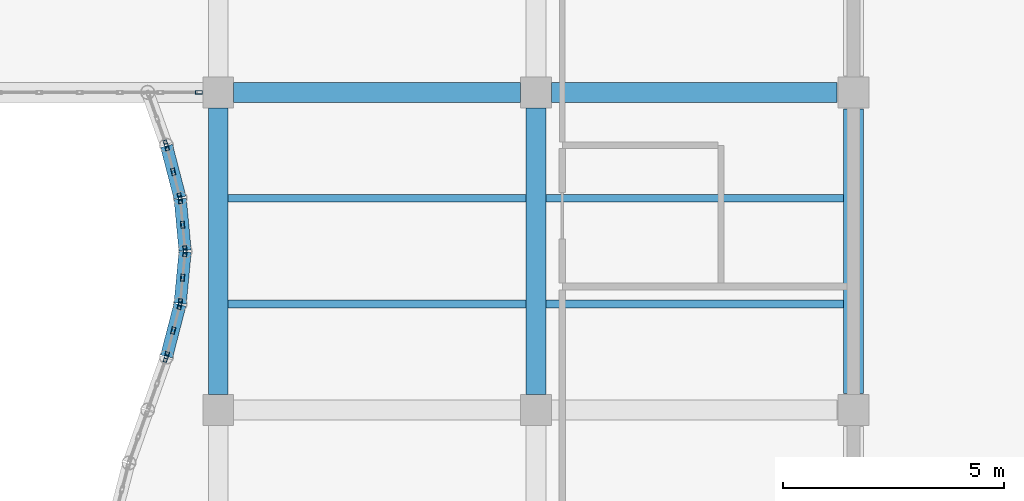
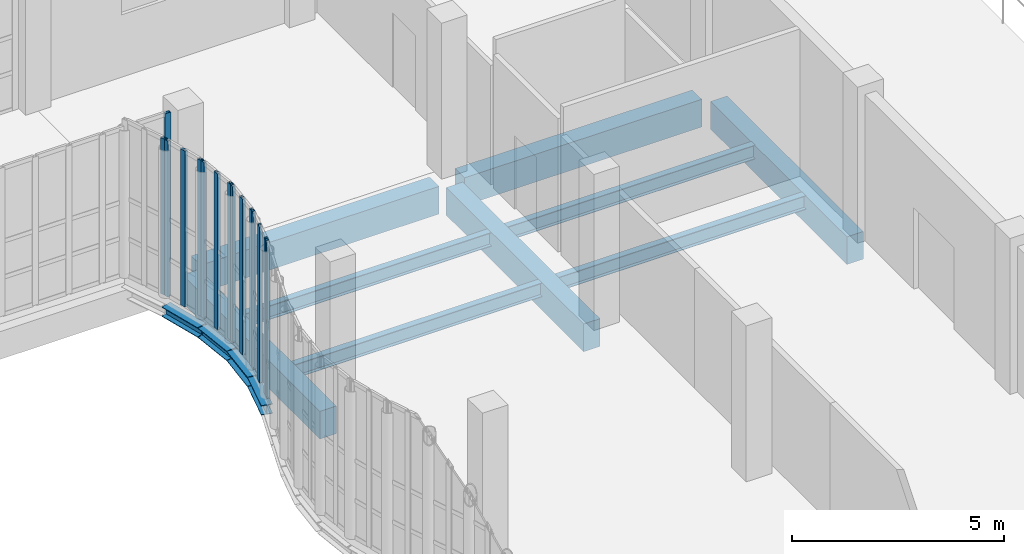
# One storey, part 43 of 108: 15 members, 13 beams, 7 elements without a shape of their own.
"""IFC4 building model written with IfcOpenShell, lengths in metres."""

from ifc_helpers import new_model, si_unit, direction, frame, origin, origin_2d, place, context, subcontext, project, spatial, rectangle, hollow_rectangle, i_section, extrude, material, layer, layer_set, material_profile, profile_set, type_object, element, aggregate, save


model = new_model("IFC4")

# Units and contexts
model_context = context("Model", 3, precision=1e-05, world=origin(), true_north=direction((0.0, 1.0)))
body_context = subcontext(model_context, "Body", "Model", "MODEL_VIEW")
ifc_project = project(units=[si_unit("LENGTHUNIT", "METRE"), si_unit("AREAUNIT", "SQUARE_METRE"), si_unit("VOLUMEUNIT", "CUBIC_METRE"), si_unit("PLANEANGLEUNIT", "RADIAN"), si_unit("MASSUNIT", "GRAM", prefix="KILO"), si_unit("THERMODYNAMICTEMPERATUREUNIT", "KELVIN"), si_unit("POWERUNIT", "WATT")], contexts=[model_context])

# Site, building, storey
site_placement = place(None, origin())
site = spatial("IfcSite", under=ifc_project, at=site_placement, CompositionType="ELEMENT")
building_placement = place(site_placement, origin())
building = spatial("IfcBuilding", under=site, at=building_placement, Name="Kaldorven Railside Theatre", CompositionType="ELEMENT")
storey_placement = place(building_placement, frame((0.0, 0.0, 5.39990234375)))
storey = spatial("IfcBuildingStorey", under=building, at=storey_placement, Name="L01", CompositionType="ELEMENT", Elevation=5.39990234375)

# Beams
ifc_material_1 = material(Name="Steel S355", Category="steel")
ifc_material_profile_1 = material_profile(ifc_material_1, i_section(OverallWidth=0.280029296875, OverallDepth=0.280029296875, WebThickness=0.010498046875, FlangeThickness=0.01806640625, at=origin_2d()), Name="HEB 280")
ifc_profile_set_1 = profile_set([ifc_material_profile_1], Name="Steel S355")
beam_type_1 = type_object("IfcBeamType", Name="BM-HEB280", PredefinedType="SPANDREL", material=ifc_profile_set_1)
beam_1_placement = place(storey_placement, frame((71.62890625, 63.614501953125, -0.419921875), z_axis=(0.250885106576, 0.968016871391, 0.0), x_axis=(-0.968016871391, 0.250885106576, 0.0)))
element("IfcBeam", 1, at=beam_1_placement, inside=storey, type_object=beam_type_1, Name="L01 Sinusoidal Flute Edge Spandrel FSB-236", PredefinedType="SPANDREL", context=body_context, shape_type="SweptSolid", body=[
    extrude(i_section(OverallWidth=0.280029296875, OverallDepth=0.280029296875, WebThickness=0.010498046875, FlangeThickness=0.01806640625, at=origin_2d()), origin(), (0.0, 0.0, 1.0), 1.20947265625),
])
for number, where, z_axis, x_axis, name in (
    (2, (71.9375, 64.81494140625, -0.419921875), (0.094505233873, 0.99552436473, 0.0), (-0.99552436473, 0.094505233873, 0.0), "L01 Sinusoidal Flute Edge Spandrel FSB-237"),
    (3, (72.048583984375, 66.014892578125, -0.419921875), (-0.094505233873, 0.99552436473, 0.0), (-0.99552436473, -0.094505233873, 0.0), "L01 Sinusoidal Flute Edge Spandrel FSB-238"),
):
    element("IfcBeam", number, at=place(storey_placement, frame(where, z_axis=z_axis, x_axis=x_axis)), inside=storey, type_object=beam_type_1, Name=name, PredefinedType="SPANDREL", context=body_context, shape_type="SweptSolid", body=[
        extrude(i_section(OverallWidth=0.280029296875, OverallDepth=0.280029296875, WebThickness=0.010498046875, FlangeThickness=0.01806640625, at=origin_2d()), origin(), (0.0, 0.0, 1.0), 1.175537109375),
    ])
beam_2_placement = place(storey_placement, frame((71.932373046875, 67.214599609375, -0.419921875), z_axis=(-0.250885106576, 0.968016871391, 0.0), x_axis=(-0.968016871391, -0.250885106576, 0.0)))
element("IfcBeam", 4, at=beam_2_placement, inside=storey, type_object=beam_type_1, Name="L01 Sinusoidal Flute Edge Spandrel FSB-239", PredefinedType="SPANDREL", context=body_context, shape_type="SweptSolid", body=[
    extrude(i_section(OverallWidth=0.280029296875, OverallDepth=0.280029296875, WebThickness=0.010498046875, FlangeThickness=0.01806640625, at=origin_2d()), origin(), (0.0, 0.0, 1.0), 1.20947265625),
])
ifc_material_profile_2 = material_profile(ifc_material_1, i_section(OverallWidth=0.179931640625, OverallDepth=0.39990234375, WebThickness=0.008544921875, FlangeThickness=0.013427734375, at=origin_2d()), Name="IPE 400")
ifc_profile_set_2 = profile_set([ifc_material_profile_2], Name="Steel S355")
beam_type_2 = type_object("IfcBeamType", Name="BM-IPE400", PredefinedType="JOIST", material=ifc_profile_set_2)
for number, where, z_axis, x_axis, name in (
    (5, (73.02490234375, 64.800048828125, -0.47998046875), (1.0, 0.0, 0.0), (0.0, 1.0, 0.0), "L01 Secondary Floor Joist JG-L01-072-0648"),
    (6, (73.02490234375, 67.199951171875, -0.47998046875), (1.0, 0.0, 0.0), (0.0, 1.0, 0.0), "L01 Secondary Floor Joist JG-L01-072-0672"),
    (7, (80.22509765625, 64.800048828125, -0.47998046875), (1.0, 0.0, 0.0), (0.0, 1.0, 0.0), "L01 Secondary Floor Joist JG-L01-080-0648"),
    (8, (80.22509765625, 67.199951171875, -0.47998046875), (1.0, 0.0, 0.0), (0.0, 1.0, 0.0), "L01 Secondary Floor Joist JG-L01-080-0672"),
):
    element("IfcBeam", number, at=place(storey_placement, frame(where, z_axis=z_axis, x_axis=x_axis)), inside=storey, type_object=beam_type_2, Name=name, PredefinedType="JOIST", context=body_context, shape_type="SweptSolid", body=[
        extrude(i_section(OverallWidth=0.179931640625, OverallDepth=0.39990234375, WebThickness=0.008544921875, FlangeThickness=0.013427734375, at=origin_2d()), origin(), (0.0, 0.0, 1.0), 6.75),
    ])
ifc_material_2 = material(Name="Concrete C40/50", Category="concrete")
ifc_material_profile_3 = material_profile(ifc_material_2, rectangle(XDim=0.449951171875, YDim=0.800048828125, at=origin_2d()), Name="RC 450x800")
ifc_profile_set_3 = profile_set([ifc_material_profile_3], Name="Concrete C40/50")
beam_type_3 = type_object("IfcBeamType", Name="BM-RC450x800", PredefinedType="BEAM", material=ifc_profile_set_3)
for number, where, z_axis, x_axis, name in (
    (9, (72.800048828125, 62.75, -0.679931640625), (0.0, 1.0, 0.0), (-1.0, 0.0, 0.0), "L01 Girder BGY-L01-072-062-72"),
    (10, (80.0, 62.75, -0.679931640625), (0.0, 1.0, 0.0), (-1.0, 0.0, 0.0), "L01 Girder BGY-L01-080-062-72"),
):
    element("IfcBeam", number, at=place(storey_placement, frame(where, z_axis=z_axis, x_axis=x_axis)), inside=storey, type_object=beam_type_3, Name=name, PredefinedType="BEAM", context=body_context, shape_type="SweptSolid", body=[
        extrude(rectangle(XDim=0.449951171875, YDim=0.800048828125, at=origin_2d()), origin(), (0.0, 0.0, 1.0), 6.5),
    ])
beam_3_placement = place(storey_placement, frame((87.199951171875, 62.77490234375, -0.699951171875), z_axis=(0.0, 1.0, 0.0), x_axis=(-1.0, 0.0, 0.0)))
element("IfcBeam", 11, at=beam_3_placement, inside=storey, type_object=beam_type_3, Name="L01 Girder BGY-L01-087-062-72", PredefinedType="BEAM", context=body_context, shape_type="SweptSolid", body=[
    extrude(rectangle(XDim=0.449951171875, YDim=0.800048828125, at=origin_2d()), origin(), (0.0, 0.0, 1.0), 6.4501953125),
])
beam_4_placement = place(storey_placement, frame((73.14990234375, 69.60009765625, -0.679931640625), z_axis=(1.0, 0.0, 0.0), x_axis=(0.0, 1.0, 0.0)))
element("IfcBeam", 12, at=beam_4_placement, inside=storey, type_object=beam_type_3, Name="L01 Girder BGX-L01-072-069", PredefinedType="BEAM", context=body_context, shape_type="SweptSolid", body=[
    extrude(rectangle(XDim=0.449951171875, YDim=0.800048828125, at=origin_2d()), origin(), (0.0, 0.0, 1.0), 6.5),
])
beam_5_placement = place(storey_placement, frame((80.35009765625, 69.60009765625, -0.679931640625), z_axis=(1.0, 0.0, 0.0), x_axis=(0.0, 1.0, 0.0)))
element("IfcBeam", 13, at=beam_5_placement, inside=storey, type_object=beam_type_3, Name="L01 Girder BGX-L01-080-069", PredefinedType="BEAM", context=body_context, shape_type="SweptSolid", body=[
    extrude(rectangle(XDim=0.449951171875, YDim=0.800048828125, at=origin_2d()), origin(), (0.0, 0.0, 1.0), 6.474853515625),
])

# Curtain wall, member
ifc_material_3 = material(Name="Low-E laminated solar-control glass", Category="glass")
ifc_layer_1 = layer(ifc_material_3, 0.159912109375, Name="Low-E laminated solar-control glass")
ifc_layer_set_1 = layer_set([ifc_layer_1], Name="Low-E laminated solar-control glass")
curtain_wall_type_1 = type_object("IfcCurtainWallType", Name="CWT-01", PredefinedType="USERDEFINED", material=ifc_layer_set_1)
curtain_wall_1_placement = place(storey_placement, origin())
curtain_wall_1 = element("IfcCurtainWall", 14, at=curtain_wall_1_placement, inside=storey, type_object=curtain_wall_type_1, Name="Sinusoidal Fluted Curtain Wall CW-L01-W19", ObjectType="FLUTED GLAZING", PredefinedType="USERDEFINED")
ifc_material_4 = material(Name="Anodised bronze aluminium", Category="aluminium")
ifc_material_profile_4 = material_profile(ifc_material_4, hollow_rectangle(XDim=0.080078125, YDim=0.159912109375, WallThickness=0.00634765625, at=origin_2d()), Name="RHS 160x80x6.3")
ifc_profile_set_4 = profile_set([ifc_material_profile_4], Name="Anodised bronze aluminium")
member_type = type_object("IfcMemberType", Name="CWM-160", PredefinedType="MULLION", material=ifc_profile_set_4)
member_1_placement = place(storey_placement, frame((71.611572265625, 63.562255859375, 0.0), z_axis=(0.0, 0.0, 1.0), x_axis=(-0.942627225159, 0.33384714225, 0.0)))
member_1 = element("IfcMember", 15, at=member_1_placement, type_object=member_type, Name="CW-L01-W19 mullion 3", PredefinedType="MULLION", context=body_context, shape_type="SweptSolid", body=[
    extrude(hollow_rectangle(XDim=0.080078125, YDim=0.159912109375, WallThickness=0.00634765625, at=origin_2d()), origin(), (0.0, 0.0, 1.0), 4.5),
])
aggregate(curtain_wall_1, [member_1])

# Curtain wall, members
ifc_layer_2 = layer(ifc_material_3, 0.159912109375, Name="Low-E laminated solar-control glass")
ifc_layer_set_2 = layer_set([ifc_layer_2], Name="Low-E laminated solar-control glass")
curtain_wall_type_2 = type_object("IfcCurtainWallType", Name="CWT-02", PredefinedType="USERDEFINED", material=ifc_layer_set_2)
curtain_wall_2_placement = place(storey_placement, origin())
curtain_wall_2 = element("IfcCurtainWall", 16, at=curtain_wall_2_placement, inside=storey, type_object=curtain_wall_type_2, Name="Sinusoidal Fluted Curtain Wall CW-L01-W20", ObjectType="FLUTED GLAZING", PredefinedType="USERDEFINED")
member_2_placement = place(storey_placement, frame((71.635009765625, 63.638671875, 0.0), z_axis=(0.0, 0.0, 1.0), x_axis=(-0.967999075505, 0.250953760326, 0.0)))
member_2 = element("IfcMember", 17, at=member_2_placement, type_object=member_type, Name="CW-L01-W20 mullion 1", PredefinedType="MULLION", context=body_context, shape_type="SweptSolid", body=[
    extrude(hollow_rectangle(XDim=0.080078125, YDim=0.159912109375, WallThickness=0.00634765625, at=origin_2d()), origin(), (0.0, 0.0, 1.0), 4.5),
])
member_3_placement = place(storey_placement, frame((71.780517578125, 64.199951171875, 0.0), z_axis=(0.0, 0.0, 1.0), x_axis=(-0.967999075505, 0.250953760326, 0.0)))
member_3 = element("IfcMember", 18, at=member_3_placement, type_object=member_type, Name="CW-L01-W20 mullion 2", PredefinedType="MULLION", context=body_context, shape_type="SweptSolid", body=[
    extrude(hollow_rectangle(XDim=0.080078125, YDim=0.159912109375, WallThickness=0.00634765625, at=origin_2d()), origin(), (0.0, 0.0, 1.0), 4.5),
])
member_4_placement = place(storey_placement, frame((71.926025390625, 64.76123046875, 0.0), z_axis=(0.0, 0.0, 1.0), x_axis=(-0.967999075505, 0.250953760326, 0.0)))
member_4 = element("IfcMember", 19, at=member_4_placement, type_object=member_type, Name="CW-L01-W20 mullion 3", PredefinedType="MULLION", context=body_context, shape_type="SweptSolid", body=[
    extrude(hollow_rectangle(XDim=0.080078125, YDim=0.159912109375, WallThickness=0.00634765625, at=origin_2d()), origin(), (0.0, 0.0, 1.0), 4.5),
])
aggregate(curtain_wall_2, [member_2, member_3, member_4])

ifc_layer_3 = layer(ifc_material_3, 0.159912109375, Name="Low-E laminated solar-control glass")
ifc_layer_set_3 = layer_set([ifc_layer_3], Name="Low-E laminated solar-control glass")
curtain_wall_type_3 = type_object("IfcCurtainWallType", Name="CWT-03", PredefinedType="USERDEFINED", material=ifc_layer_set_3)
curtain_wall_3_placement = place(storey_placement, origin())
curtain_wall_3 = element("IfcCurtainWall", 20, at=curtain_wall_3_placement, inside=storey, type_object=curtain_wall_type_3, Name="Sinusoidal Fluted Curtain Wall CW-L01-W21", ObjectType="FLUTED GLAZING", PredefinedType="USERDEFINED")
member_5_placement = place(storey_placement, frame((71.93994140625, 64.83984375, 0.0), z_axis=(0.0, 0.0, 1.0), x_axis=(-0.995525623425, 0.094491973758, 0.0)))
member_5 = element("IfcMember", 21, at=member_5_placement, type_object=member_type, Name="CW-L01-W21 mullion 1", PredefinedType="MULLION", context=body_context, shape_type="SweptSolid", body=[
    extrude(hollow_rectangle(XDim=0.080078125, YDim=0.159912109375, WallThickness=0.00634765625, at=origin_2d()), origin(), (0.0, 0.0, 1.0), 4.5),
])
member_6_placement = place(storey_placement, frame((71.9931640625, 65.39990234375, 0.0), z_axis=(0.0, 0.0, 1.0), x_axis=(-0.995525623425, 0.094491973758, 0.0)))
member_6 = element("IfcMember", 22, at=member_6_placement, type_object=member_type, Name="CW-L01-W21 mullion 2", PredefinedType="MULLION", context=body_context, shape_type="SweptSolid", body=[
    extrude(hollow_rectangle(XDim=0.080078125, YDim=0.159912109375, WallThickness=0.00634765625, at=origin_2d()), origin(), (0.0, 0.0, 1.0), 4.5),
])
member_7_placement = place(storey_placement, frame((72.046142578125, 65.960205078125, 0.0), z_axis=(0.0, 0.0, 1.0), x_axis=(-0.995525623425, 0.094491973758, 0.0)))
member_7 = element("IfcMember", 23, at=member_7_placement, type_object=member_type, Name="CW-L01-W21 mullion 3", PredefinedType="MULLION", context=body_context, shape_type="SweptSolid", body=[
    extrude(hollow_rectangle(XDim=0.080078125, YDim=0.159912109375, WallThickness=0.00634765625, at=origin_2d()), origin(), (0.0, 0.0, 1.0), 4.5),
])
aggregate(curtain_wall_3, [member_5, member_6, member_7])

curtain_wall_4_placement = place(storey_placement, origin())
curtain_wall_4 = element("IfcCurtainWall", 24, at=curtain_wall_4_placement, inside=storey, type_object=curtain_wall_type_3, Name="Sinusoidal Fluted Curtain Wall CW-L01-W22", ObjectType="FLUTED GLAZING", PredefinedType="USERDEFINED")
member_8_placement = place(storey_placement, frame((72.046142578125, 66.039794921875, 0.0), z_axis=(0.0, 0.0, 1.0), x_axis=(-0.995525623425, -0.094491973758, 0.0)))
member_8 = element("IfcMember", 25, at=member_8_placement, type_object=member_type, Name="CW-L01-W22 mullion 1", PredefinedType="MULLION", context=body_context, shape_type="SweptSolid", body=[
    extrude(hollow_rectangle(XDim=0.080078125, YDim=0.159912109375, WallThickness=0.00634765625, at=origin_2d()), origin(), (0.0, 0.0, 1.0), 4.5),
])
member_9_placement = place(storey_placement, frame((71.9931640625, 66.60009765625, 0.0), z_axis=(0.0, 0.0, 1.0), x_axis=(-0.995525623425, -0.094491973758, 0.0)))
member_9 = element("IfcMember", 26, at=member_9_placement, type_object=member_type, Name="CW-L01-W22 mullion 2", PredefinedType="MULLION", context=body_context, shape_type="SweptSolid", body=[
    extrude(hollow_rectangle(XDim=0.080078125, YDim=0.159912109375, WallThickness=0.00634765625, at=origin_2d()), origin(), (0.0, 0.0, 1.0), 4.5),
])
member_10_placement = place(storey_placement, frame((71.93994140625, 67.16015625, 0.0), z_axis=(0.0, 0.0, 1.0), x_axis=(-0.995525623425, -0.094491973758, 0.0)))
member_10 = element("IfcMember", 27, at=member_10_placement, type_object=member_type, Name="CW-L01-W22 mullion 3", PredefinedType="MULLION", context=body_context, shape_type="SweptSolid", body=[
    extrude(hollow_rectangle(XDim=0.080078125, YDim=0.159912109375, WallThickness=0.00634765625, at=origin_2d()), origin(), (0.0, 0.0, 1.0), 4.5),
])
aggregate(curtain_wall_4, [member_8, member_9, member_10])

curtain_wall_5_placement = place(storey_placement, origin())
curtain_wall_5 = element("IfcCurtainWall", 28, at=curtain_wall_5_placement, inside=storey, type_object=curtain_wall_type_2, Name="Sinusoidal Fluted Curtain Wall CW-L01-W23", ObjectType="FLUTED GLAZING", PredefinedType="USERDEFINED")
member_11_placement = place(storey_placement, frame((71.926025390625, 67.23876953125, 0.0), z_axis=(0.0, 0.0, 1.0), x_axis=(-0.967999075505, -0.250953760326, 0.0)))
member_11 = element("IfcMember", 29, at=member_11_placement, type_object=member_type, Name="CW-L01-W23 mullion 1", PredefinedType="MULLION", context=body_context, shape_type="SweptSolid", body=[
    extrude(hollow_rectangle(XDim=0.080078125, YDim=0.159912109375, WallThickness=0.00634765625, at=origin_2d()), origin(), (0.0, 0.0, 1.0), 4.5),
])
member_12_placement = place(storey_placement, frame((71.780517578125, 67.800048828125, 0.0), z_axis=(0.0, 0.0, 1.0), x_axis=(-0.967999075505, -0.250953760326, 0.0)))
member_12 = element("IfcMember", 30, at=member_12_placement, type_object=member_type, Name="CW-L01-W23 mullion 2", PredefinedType="MULLION", context=body_context, shape_type="SweptSolid", body=[
    extrude(hollow_rectangle(XDim=0.080078125, YDim=0.159912109375, WallThickness=0.00634765625, at=origin_2d()), origin(), (0.0, 0.0, 1.0), 4.5),
])
member_13_placement = place(storey_placement, frame((71.635009765625, 68.361328125, 0.0), z_axis=(0.0, 0.0, 1.0), x_axis=(-0.967999075505, -0.250953760326, 0.0)))
member_13 = element("IfcMember", 31, at=member_13_placement, type_object=member_type, Name="CW-L01-W23 mullion 3", PredefinedType="MULLION", context=body_context, shape_type="SweptSolid", body=[
    extrude(hollow_rectangle(XDim=0.080078125, YDim=0.159912109375, WallThickness=0.00634765625, at=origin_2d()), origin(), (0.0, 0.0, 1.0), 4.5),
])
aggregate(curtain_wall_5, [member_11, member_12, member_13])

# Curtain wall, member
curtain_wall_6_placement = place(storey_placement, origin())
curtain_wall_6 = element("IfcCurtainWall", 32, at=curtain_wall_6_placement, inside=storey, type_object=curtain_wall_type_1, Name="Sinusoidal Fluted Curtain Wall CW-L01-W24", ObjectType="FLUTED GLAZING", PredefinedType="USERDEFINED")
member_14_placement = place(storey_placement, frame((71.611572265625, 68.437744140625, 0.0), z_axis=(0.0, 0.0, 1.0), x_axis=(-0.942627225159, -0.33384714225, 0.0)))
member_14 = element("IfcMember", 33, at=member_14_placement, type_object=member_type, Name="CW-L01-W24 mullion 1", PredefinedType="MULLION", context=body_context, shape_type="SweptSolid", body=[
    extrude(hollow_rectangle(XDim=0.080078125, YDim=0.159912109375, WallThickness=0.00634765625, at=origin_2d()), origin(), (0.0, 0.0, 1.0), 4.5),
])
aggregate(curtain_wall_6, [member_14])

ifc_layer_4 = layer(ifc_material_3, 0.159912109375, Name="Low-E laminated solar-control glass")
ifc_layer_set_4 = layer_set([ifc_layer_4], Name="Low-E laminated solar-control glass")
curtain_wall_type_4 = type_object("IfcCurtainWallType", Name="CWT-25", PredefinedType="USERDEFINED", material=ifc_layer_set_4)
curtain_wall_7_placement = place(storey_placement, origin())
curtain_wall_7 = element("IfcCurtainWall", 34, at=curtain_wall_7_placement, inside=storey, type_object=curtain_wall_type_4, Name="Sinusoidal Fluted Curtain Wall CW-L01-BS04", ObjectType="FLUTED GLAZING", PredefinedType="USERDEFINED")
member_15_placement = place(storey_placement, frame((72.360107421875, 69.60009765625, 0.0), z_axis=(0.0, 0.0, 1.0), x_axis=(0.0, 1.0, 0.0)))
member_15 = element("IfcMember", 35, at=member_15_placement, type_object=member_type, Name="CW-L01-BS04 mullion 8", PredefinedType="MULLION", context=body_context, shape_type="SweptSolid", body=[
    extrude(hollow_rectangle(XDim=0.080078125, YDim=0.159912109375, WallThickness=0.00634765625, at=origin_2d()), origin(), (0.0, 0.0, 1.0), 4.280029296875),
])
aggregate(curtain_wall_7, [member_15])

save(model, "model.ifc")
